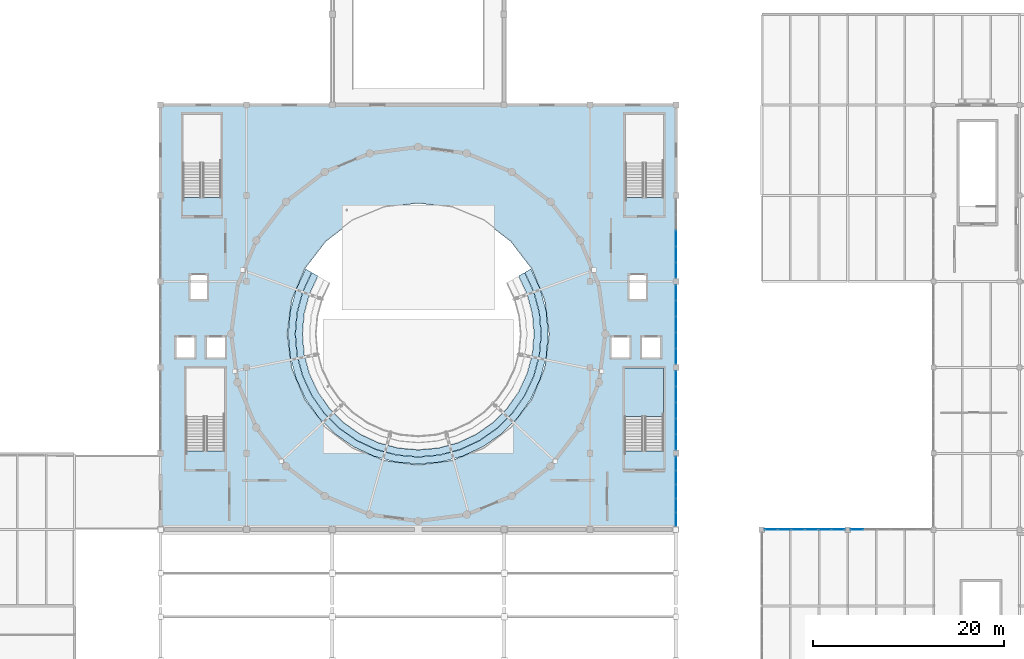
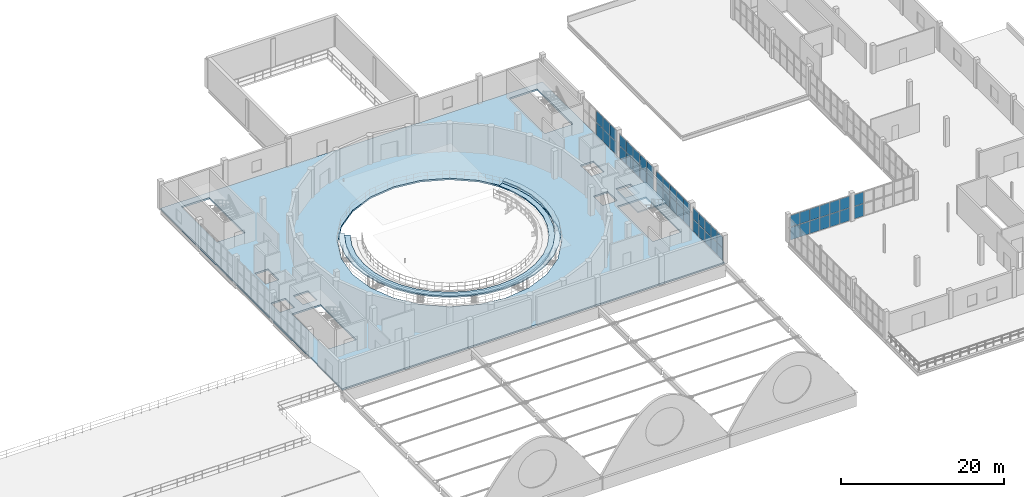
# One storey, part 35 of 54: 50 plates, 4 slabs, 7 elements without a shape of their own.
"""IFC4 building model written with IfcOpenShell, lengths in metres."""

import ifcopenshell
import ifcopenshell.guid

model = None  # the IFC model being written
_history = None  # IfcOwnerHistory: only IFC2X3 demands one
_inside = {}  # id of a spatial element -> (the spatial element, [elements in it])
_under = {}  # id of a project, library or spatial element -> (it, [spatial elements below it])
_declared = {}  # id of a project -> (the project, [libraries it declares])
_typed = {}  # id of a type object -> (the type object, [elements of that type])
_made_of = {}  # id of a material, layer set ... -> (it, [elements and type objects made of it])


def new_model(schema):
    """Start an empty IFC model of exactly this schema.

    Asked for "IFC4X3", IfcOpenShell would pick the latest addendum, in which some entities
    have other attributes; the version numbers below select the first issue.
    IFC2X3 requires an IfcOwnerHistory on every rooted entity: one is made here for all.
    """
    global model, _history
    if schema == "IFC4X3":
        model = ifcopenshell.file(schema_version=(4, 3, 0, 0))
    else:
        model = ifcopenshell.file(schema=schema)
    _inside.clear()
    _under.clear()
    _declared.clear()
    _typed.clear()
    _made_of.clear()
    _history = None
    if model.schema == "IFC2X3":
        org = make("IfcOrganization", Name="unknown")
        user = make(
            "IfcPersonAndOrganization",
            ThePerson=make("IfcPerson", FamilyName="unknown"),
            TheOrganization=org,
        )
        app = make(
            "IfcApplication",
            ApplicationDeveloper=org,
            Version="unknown",
            ApplicationFullName="unknown",
            ApplicationIdentifier="unknown",
        )
        _history = make(
            "IfcOwnerHistory",
            OwningUser=user,
            OwningApplication=app,
            ChangeAction="ADDED",
            CreationDate=0,
        )
    return model


def make(cls, **values):
    """One entity of the class cls with the attributes given. An attribute that is None is left unset."""
    return model.create_entity(
        cls, **{name: value for name, value in values.items() if value is not None}
    )


def rooted(cls, **values):
    """An entity with a GlobalId (a new one), such as an element, a storey or a relation."""
    return make(cls, GlobalId=ifcopenshell.guid.new(), OwnerHistory=_history, **values)


def si_unit(unit_type, name, prefix=None):
    """IfcSIUnit, for example si_unit("LENGTHUNIT", "METRE", prefix="MILLI")."""
    return make("IfcSIUnit", UnitType=unit_type, Prefix=prefix, Name=name)


def assignment(units):
    """IfcUnitAssignment: the units of a project."""
    return None if units is None else make("IfcUnitAssignment", Units=units)


def point(xyz):
    """IfcCartesianPoint."""
    return None if xyz is None else make("IfcCartesianPoint", Coordinates=xyz)


def direction(xyz):
    """IfcDirection."""
    return None if xyz is None else make("IfcDirection", DirectionRatios=xyz)


def frame(location, z_axis=None, x_axis=None):
    """IfcAxis2Placement3D, a coordinate frame: its origin and axes. An axis left out is left unset."""
    return make(
        "IfcAxis2Placement3D",
        Location=point(location),
        Axis=direction(z_axis),
        RefDirection=direction(x_axis),
    )


def frame_2d(location, x_axis=None):
    """IfcAxis2Placement2D, a coordinate frame in the plane: its origin and x axis."""
    return make(
        "IfcAxis2Placement2D", Location=point(location), RefDirection=direction(x_axis)
    )


def origin():
    """The frame at (0, 0, 0) with its axes left unset."""
    return frame((0.0, 0.0, 0.0))


def origin_2d():
    """The frame at (0, 0) in the plane with its x axis left unset."""
    return frame_2d((0.0, 0.0))


def place(relative_to, where):
    """IfcLocalPlacement: puts the frame where relative to a parent placement (None: the world)."""
    return make(
        "IfcLocalPlacement", PlacementRelTo=relative_to, RelativePlacement=where
    )


def context(
    kind, dimensions, precision=None, world=None, true_north=None, identifier=None
):
    """IfcGeometricRepresentationContext, for example the 3D "Model" context."""
    return make(
        "IfcGeometricRepresentationContext",
        ContextIdentifier=identifier,
        ContextType=kind,
        CoordinateSpaceDimension=dimensions,
        Precision=precision,
        WorldCoordinateSystem=world,
        TrueNorth=true_north,
    )


def subcontext(parent, identifier, kind, view, scale=None):
    """IfcGeometricRepresentationSubContext, for example "Body" below "Model"."""
    return make(
        "IfcGeometricRepresentationSubContext",
        ContextIdentifier=identifier,
        ContextType=kind,
        ParentContext=parent,
        TargetScale=scale,
        TargetView=view,
    )


def project(units=None, contexts=None):
    """IfcProject with its units and contexts."""
    return rooted(
        "IfcProject",
        Name="project",
        RepresentationContexts=contexts,
        UnitsInContext=assignment(units),
    )


def spatial(cls, under=None, at=None, **own):
    """A site, building, storey or space (cls), placed at a placement, below another one or the project."""
    s = rooted(cls, ObjectPlacement=at, **own)
    if under is not None:
        _under.setdefault(under.id(), (under, []))[1].append(s)
    return s


def polyline(points):
    """IfcPolyline through the points."""
    return make("IfcPolyline", Points=[point(p) for p in points])


def profile(cls, at=None, kind="AREA", **sizes):
    """A parametric profile (cls). Its sizes go by their IFC names, for example OverallWidth=200.0."""
    return make(cls, ProfileType=kind, Position=at, **sizes)


def rectangle(**sizes):
    """IfcRectangleProfileDef."""
    return profile("IfcRectangleProfileDef", **sizes)


def outline(outer, holes=None, kind="AREA"):
    """IfcArbitraryClosedProfileDef: a profile drawn as a closed curve; with holes, ...WithVoids."""
    if holes is None:
        return make("IfcArbitraryClosedProfileDef", ProfileType=kind, OuterCurve=outer)
    return make(
        "IfcArbitraryProfileDefWithVoids",
        ProfileType=kind,
        OuterCurve=outer,
        InnerCurves=holes,
    )


def extrude(swept, where, along, depth):
    """IfcExtrudedAreaSolid: the profile swept, set in the frame where, extruded along a direction by depth."""
    return make(
        "IfcExtrudedAreaSolid",
        SweptArea=swept,
        Position=where,
        ExtrudedDirection=direction(along),
        Depth=depth,
    )


def shape(context_of_items, identifier, shape_type, items):
    """IfcShapeRepresentation: the items that make up one representation, for example the "Body"."""
    return make(
        "IfcShapeRepresentation",
        ContextOfItems=context_of_items,
        RepresentationIdentifier=identifier,
        RepresentationType=shape_type,
        Items=items,
    )


def material(Name=None, Category=None):
    """IfcMaterial."""
    return make("IfcMaterial", Name=Name, Category=Category)


def layer(
    of_material, thickness, ventilated=None, Name=None, Category=None, Priority=None
):
    """IfcMaterialLayer: one layer of a wall or slab, of a material (None: an air gap)."""
    return make(
        "IfcMaterialLayer",
        Material=of_material,
        LayerThickness=thickness,
        IsVentilated=ventilated,
        Name=Name,
        Category=Category,
        Priority=Priority,
    )


def layer_set(layers, Name=None):
    """IfcMaterialLayerSet."""
    return make("IfcMaterialLayerSet", MaterialLayers=layers, LayerSetName=Name)


def made_of(thing, what):
    """Note that an element or type object is made of a material, layer set ...; save() writes the relation."""
    if what is not None:
        _made_of.setdefault(what.id(), (what, []))[1].append(thing)
    return thing


def type_object(cls, material=None, **own):
    """A type object (cls), such as IfcWallType, which elements share."""
    return made_of(rooted(cls, **own), material)


def element(
    cls,
    number,
    at=None,
    inside=None,
    cuts=None,
    type_object=None,
    material=None,
    context=None,
    identifier="Body",
    shape_type=None,
    held_by="IfcProductDefinitionShape",
    body=None,
    shapes=None,
    **own,
):
    """One element of the class cls, such as IfcWall. Its Tag is "e" and its number.

    at: its placement. inside: the storey or other place that contains it. cuts: it is an
    opening in that element (IfcRelVoidsElement). A single representation is given by context,
    identifier, shape_type and body (its items); several are given by shapes. held_by: the class
    of the entity that holds the representations. save() writes the other relations.
    """
    e = rooted(cls, Tag="e%d" % number, ObjectPlacement=at, **own)
    if body is not None:
        shapes = [shape(context, identifier, shape_type, body)]
    if shapes is not None:
        e.Representation = make(held_by, Representations=shapes)
    if inside is not None:
        _inside.setdefault(inside.id(), (inside, []))[1].append(e)
    if cuts is not None:
        rooted(
            "IfcRelVoidsElement", RelatingBuildingElement=cuts, RelatedOpeningElement=e
        )
    if type_object is not None:
        _typed.setdefault(type_object.id(), (type_object, []))[1].append(e)
    return made_of(e, material)


def aggregate(whole, parts):
    """IfcRelAggregates: a whole, such as a stair, and the parts it consists of."""
    return rooted("IfcRelAggregates", RelatingObject=whole, RelatedObjects=parts)


def save(model, path):
    """Write the relations noted so far, then the file.

    IfcRelAggregates (storeys below a building ...), IfcRelContainedInSpatialStructure (elements
    in a storey), IfcRelDefinesByType, IfcRelAssociatesMaterial and IfcRelDeclares: one each for
    every whole, place, type object, material and project.
    """
    for whole, parts in _under.values():
        aggregate(whole, parts)
    for where, things in _inside.values():
        rooted(
            "IfcRelContainedInSpatialStructure",
            RelatedElements=things,
            RelatingStructure=where,
        )
    for kind, things in _typed.values():
        rooted("IfcRelDefinesByType", RelatedObjects=things, RelatingType=kind)
    for what, things in _made_of.values():
        rooted("IfcRelAssociatesMaterial", RelatedObjects=things, RelatingMaterial=what)
    for by, libraries in _declared.values():
        rooted("IfcRelDeclares", RelatingContext=by, RelatedDefinitions=libraries)
    model.write(path)


model = new_model("IFC4")

# Units and contexts
model_context = context("Model", 3, precision=1e-05, world=origin(), true_north=direction((0.0, 1.0)))
body_context = subcontext(model_context, "Body", "Model", "MODEL_VIEW")
ifc_project = project(units=[si_unit("LENGTHUNIT", "METRE"), si_unit("AREAUNIT", "SQUARE_METRE"), si_unit("VOLUMEUNIT", "CUBIC_METRE"), si_unit("PLANEANGLEUNIT", "RADIAN"), si_unit("MASSUNIT", "GRAM", prefix="KILO")], contexts=[model_context])

# Site, building, storey
site_placement = place(None, origin())
site = spatial("IfcSite", under=ifc_project, at=site_placement, CompositionType="ELEMENT")
building_placement = place(site_placement, origin())
building = spatial("IfcBuilding", under=site, at=building_placement, Name="Marnock Terrace Opera House", CompositionType="ELEMENT")
storey_placement = place(building_placement, frame((0.0, 0.0, 19.199951171875)))
storey = spatial("IfcBuildingStorey", under=building, at=storey_placement, Name="L04", CompositionType="ELEMENT", Elevation=19.199951171875)

# Curtain wall, plates
ifc_material_1 = material(Name="Anodised architectural bronze aluminium framing", Category="aluminium")
ifc_layer_1 = layer(ifc_material_1, 0.159912109375)
ifc_layer_set_1 = layer_set([ifc_layer_1], Name="Anodised architectural bronze aluminium framing")
curtain_wall_type = type_object("IfcCurtainWallType", Name="CW-DRUM-71x39", PredefinedType="NOTDEFINED", material=ifc_layer_set_1)
curtain_wall_1_placement = place(storey_placement, origin())
curtain_wall_1 = element("IfcCurtainWall", 1, at=curtain_wall_1_placement, inside=storey, type_object=curtain_wall_type, Name="L04 glazed Beaux-Arts colonnade curtain wall CW-L04-V1E1", PredefinedType="NOTDEFINED")
ifc_material_2 = material(Name="Double-glazed acoustic low-E laminated glass", Category="glass")
ifc_layer_2 = layer(ifc_material_2, 0.028076171875)
ifc_layer_set_2 = layer_set([ifc_layer_2], Name="Double-glazed acoustic low-E laminated glass")
plate_type = type_object("IfcPlateType", Name="CWP-GLZ-28", PredefinedType="CURTAIN_PANEL", material=ifc_layer_set_2)
plate_1_placement = place(storey_placement, frame((109.0, 41.07177734375, 0.06005859375), z_axis=(0.0, 0.0, 1.0), x_axis=(0.0, 1.0, 0.0)))
plate_1 = element("IfcPlate", 2, at=plate_1_placement, type_object=plate_type, Name="CW-76 panel 1.1", PredefinedType="CURTAIN_PANEL", context=body_context, shape_type="SweptSolid", body=[
    extrude(rectangle(XDim=1.381591796875, YDim=0.028076171875, at=origin_2d()), origin(), (0.0, 0.0, 1.0), 1.79150390625),
])
plate_2_placement = place(storey_placement, frame((109.0, 41.07177734375, 1.91162109375), z_axis=(0.0, 0.0, 1.0), x_axis=(0.0, 1.0, 0.0)))
plate_2 = element("IfcPlate", 3, at=plate_2_placement, type_object=plate_type, Name="CW-76 panel 1.2", PredefinedType="CURTAIN_PANEL", context=body_context, shape_type="SweptSolid", body=[
    extrude(rectangle(XDim=1.381591796875, YDim=0.028076171875, at=origin_2d()), origin(), (0.0, 0.0, 1.0), 1.646484375),
])
plate_3_placement = place(storey_placement, frame((109.0, 42.5283203125, 0.06005859375), z_axis=(0.0, 0.0, 1.0), x_axis=(0.0, 1.0, 0.0)))
plate_3 = element("IfcPlate", 4, at=plate_3_placement, type_object=plate_type, Name="CW-76 panel 2.1", PredefinedType="CURTAIN_PANEL", context=body_context, shape_type="SweptSolid", body=[
    extrude(rectangle(XDim=1.41162109375, YDim=0.028076171875, at=origin_2d()), origin(), (0.0, 0.0, 1.0), 1.79150390625),
])
plate_4_placement = place(storey_placement, frame((109.0, 42.5283203125, 1.91162109375), z_axis=(0.0, 0.0, 1.0), x_axis=(0.0, 1.0, 0.0)))
plate_4 = element("IfcPlate", 5, at=plate_4_placement, type_object=plate_type, Name="CW-76 panel 2.2", PredefinedType="CURTAIN_PANEL", context=body_context, shape_type="SweptSolid", body=[
    extrude(rectangle(XDim=1.41162109375, YDim=0.028076171875, at=origin_2d()), origin(), (0.0, 0.0, 1.0), 1.646484375),
])
plate_5_placement = place(storey_placement, frame((109.0, 44.0, 0.06005859375), z_axis=(0.0, 0.0, 1.0), x_axis=(0.0, 1.0, 0.0)))
plate_5 = element("IfcPlate", 6, at=plate_5_placement, type_object=plate_type, Name="CW-76 panel 3.1", PredefinedType="CURTAIN_PANEL", context=body_context, shape_type="SweptSolid", body=[
    extrude(rectangle(XDim=1.41162109375, YDim=0.028076171875, at=origin_2d()), origin(), (0.0, 0.0, 1.0), 1.79150390625),
])
plate_6_placement = place(storey_placement, frame((109.0, 44.0, 1.91162109375), z_axis=(0.0, 0.0, 1.0), x_axis=(0.0, 1.0, 0.0)))
plate_6 = element("IfcPlate", 7, at=plate_6_placement, type_object=plate_type, Name="CW-76 panel 3.2", PredefinedType="CURTAIN_PANEL", context=body_context, shape_type="SweptSolid", body=[
    extrude(rectangle(XDim=1.41162109375, YDim=0.028076171875, at=origin_2d()), origin(), (0.0, 0.0, 1.0), 1.646484375),
])
plate_7_placement = place(storey_placement, frame((109.0, 45.4716796875, 0.06005859375), z_axis=(0.0, 0.0, 1.0), x_axis=(0.0, 1.0, 0.0)))
plate_7 = element("IfcPlate", 8, at=plate_7_placement, type_object=plate_type, Name="CW-76 panel 4.1", PredefinedType="CURTAIN_PANEL", context=body_context, shape_type="SweptSolid", body=[
    extrude(rectangle(XDim=1.41162109375, YDim=0.028076171875, at=origin_2d()), origin(), (0.0, 0.0, 1.0), 1.79150390625),
])
plate_8_placement = place(storey_placement, frame((109.0, 45.4716796875, 1.91162109375), z_axis=(0.0, 0.0, 1.0), x_axis=(0.0, 1.0, 0.0)))
plate_8 = element("IfcPlate", 9, at=plate_8_placement, type_object=plate_type, Name="CW-76 panel 4.2", PredefinedType="CURTAIN_PANEL", context=body_context, shape_type="SweptSolid", body=[
    extrude(rectangle(XDim=1.41162109375, YDim=0.028076171875, at=origin_2d()), origin(), (0.0, 0.0, 1.0), 1.646484375),
])
plate_9_placement = place(storey_placement, frame((109.0, 46.92822265625, 0.06005859375), z_axis=(0.0, 0.0, 1.0), x_axis=(0.0, 1.0, 0.0)))
plate_9 = element("IfcPlate", 10, at=plate_9_placement, type_object=plate_type, Name="CW-76 panel 5.1", PredefinedType="CURTAIN_PANEL", context=body_context, shape_type="SweptSolid", body=[
    extrude(rectangle(XDim=1.381591796875, YDim=0.028076171875, at=origin_2d()), origin(), (0.0, 0.0, 1.0), 1.79150390625),
])
plate_10_placement = place(storey_placement, frame((109.0, 46.92822265625, 1.91162109375), z_axis=(0.0, 0.0, 1.0), x_axis=(0.0, 1.0, 0.0)))
plate_10 = element("IfcPlate", 11, at=plate_10_placement, type_object=plate_type, Name="CW-76 panel 5.2", PredefinedType="CURTAIN_PANEL", context=body_context, shape_type="SweptSolid", body=[
    extrude(rectangle(XDim=1.381591796875, YDim=0.028076171875, at=origin_2d()), origin(), (0.0, 0.0, 1.0), 1.646484375),
])
aggregate(curtain_wall_1, [plate_1, plate_2, plate_3, plate_4, plate_5, plate_6, plate_7, plate_8, plate_9, plate_10])

curtain_wall_2_placement = place(storey_placement, origin())
curtain_wall_2 = element("IfcCurtainWall", 12, at=curtain_wall_2_placement, inside=storey, type_object=curtain_wall_type, Name="L04 glazed Beaux-Arts colonnade curtain wall CW-L04-V1E2", PredefinedType="NOTDEFINED")
plate_11_placement = place(storey_placement, frame((109.0, 49.171875, 0.06005859375), z_axis=(0.0, 0.0, 1.0), x_axis=(0.0, 1.0, 0.0)))
plate_11 = element("IfcPlate", 13, at=plate_11_placement, type_object=plate_type, Name="CW-76 panel 1.1", PredefinedType="CURTAIN_PANEL", context=body_context, shape_type="SweptSolid", body=[
    extrude(rectangle(XDim=1.58154296875, YDim=0.028076171875, at=origin_2d()), origin(), (0.0, 0.0, 1.0), 1.79150390625),
])
plate_12_placement = place(storey_placement, frame((109.0, 49.171875, 1.91162109375), z_axis=(0.0, 0.0, 1.0), x_axis=(0.0, 1.0, 0.0)))
plate_12 = element("IfcPlate", 14, at=plate_12_placement, type_object=plate_type, Name="CW-76 panel 1.2", PredefinedType="CURTAIN_PANEL", context=body_context, shape_type="SweptSolid", body=[
    extrude(rectangle(XDim=1.58154296875, YDim=0.028076171875, at=origin_2d()), origin(), (0.0, 0.0, 1.0), 1.646484375),
])
plate_13_placement = place(storey_placement, frame((109.0, 50.828369140625, 0.06005859375), z_axis=(0.0, 0.0, 1.0), x_axis=(0.0, 1.0, 0.0)))
plate_13 = element("IfcPlate", 15, at=plate_13_placement, type_object=plate_type, Name="CW-76 panel 2.1", PredefinedType="CURTAIN_PANEL", context=body_context, shape_type="SweptSolid", body=[
    extrude(rectangle(XDim=1.611572265625, YDim=0.028076171875, at=origin_2d()), origin(), (0.0, 0.0, 1.0), 1.79150390625),
])
plate_14_placement = place(storey_placement, frame((109.0, 50.828369140625, 1.91162109375), z_axis=(0.0, 0.0, 1.0), x_axis=(0.0, 1.0, 0.0)))
plate_14 = element("IfcPlate", 16, at=plate_14_placement, type_object=plate_type, Name="CW-76 panel 2.2", PredefinedType="CURTAIN_PANEL", context=body_context, shape_type="SweptSolid", body=[
    extrude(rectangle(XDim=1.611572265625, YDim=0.028076171875, at=origin_2d()), origin(), (0.0, 0.0, 1.0), 1.646484375),
])
plate_15_placement = place(storey_placement, frame((109.0, 52.5, 0.06005859375), z_axis=(0.0, 0.0, 1.0), x_axis=(0.0, 1.0, 0.0)))
plate_15 = element("IfcPlate", 17, at=plate_15_placement, type_object=plate_type, Name="CW-76 panel 3.1", PredefinedType="CURTAIN_PANEL", context=body_context, shape_type="SweptSolid", body=[
    extrude(rectangle(XDim=1.611572265625, YDim=0.028076171875, at=origin_2d()), origin(), (0.0, 0.0, 1.0), 1.79150390625),
])
plate_16_placement = place(storey_placement, frame((109.0, 52.5, 1.91162109375), z_axis=(0.0, 0.0, 1.0), x_axis=(0.0, 1.0, 0.0)))
plate_16 = element("IfcPlate", 18, at=plate_16_placement, type_object=plate_type, Name="CW-76 panel 3.2", PredefinedType="CURTAIN_PANEL", context=body_context, shape_type="SweptSolid", body=[
    extrude(rectangle(XDim=1.611572265625, YDim=0.028076171875, at=origin_2d()), origin(), (0.0, 0.0, 1.0), 1.646484375),
])
plate_17_placement = place(storey_placement, frame((109.0, 54.171630859375, 0.06005859375), z_axis=(0.0, 0.0, 1.0), x_axis=(0.0, 1.0, 0.0)))
plate_17 = element("IfcPlate", 19, at=plate_17_placement, type_object=plate_type, Name="CW-76 panel 4.1", PredefinedType="CURTAIN_PANEL", context=body_context, shape_type="SweptSolid", body=[
    extrude(rectangle(XDim=1.611572265625, YDim=0.028076171875, at=origin_2d()), origin(), (0.0, 0.0, 1.0), 1.79150390625),
])
plate_18_placement = place(storey_placement, frame((109.0, 54.171630859375, 1.91162109375), z_axis=(0.0, 0.0, 1.0), x_axis=(0.0, 1.0, 0.0)))
plate_18 = element("IfcPlate", 20, at=plate_18_placement, type_object=plate_type, Name="CW-76 panel 4.2", PredefinedType="CURTAIN_PANEL", context=body_context, shape_type="SweptSolid", body=[
    extrude(rectangle(XDim=1.611572265625, YDim=0.028076171875, at=origin_2d()), origin(), (0.0, 0.0, 1.0), 1.646484375),
])
plate_19_placement = place(storey_placement, frame((109.0, 55.828125, 0.06005859375), z_axis=(0.0, 0.0, 1.0), x_axis=(0.0, 1.0, 0.0)))
plate_19 = element("IfcPlate", 21, at=plate_19_placement, type_object=plate_type, Name="CW-76 panel 5.1", PredefinedType="CURTAIN_PANEL", context=body_context, shape_type="SweptSolid", body=[
    extrude(rectangle(XDim=1.58154296875, YDim=0.028076171875, at=origin_2d()), origin(), (0.0, 0.0, 1.0), 1.79150390625),
])
plate_20_placement = place(storey_placement, frame((109.0, 55.828125, 1.91162109375), z_axis=(0.0, 0.0, 1.0), x_axis=(0.0, 1.0, 0.0)))
plate_20 = element("IfcPlate", 22, at=plate_20_placement, type_object=plate_type, Name="CW-76 panel 5.2", PredefinedType="CURTAIN_PANEL", context=body_context, shape_type="SweptSolid", body=[
    extrude(rectangle(XDim=1.58154296875, YDim=0.028076171875, at=origin_2d()), origin(), (0.0, 0.0, 1.0), 1.646484375),
])
aggregate(curtain_wall_2, [plate_11, plate_12, plate_13, plate_14, plate_15, plate_16, plate_17, plate_18, plate_19, plate_20])

curtain_wall_3_placement = place(storey_placement, origin())
curtain_wall_3 = element("IfcCurtainWall", 23, at=curtain_wall_3_placement, inside=storey, type_object=curtain_wall_type, Name="L04 glazed Beaux-Arts colonnade curtain wall CW-L04-V1E3", PredefinedType="NOTDEFINED")
plate_21_placement = place(storey_placement, frame((109.0, 58.171875, 0.06005859375), z_axis=(0.0, 0.0, 1.0), x_axis=(0.0, 1.0, 0.0)))
plate_21 = element("IfcPlate", 24, at=plate_21_placement, type_object=plate_type, Name="CW-76 panel 1.1", PredefinedType="CURTAIN_PANEL", context=body_context, shape_type="SweptSolid", body=[
    extrude(rectangle(XDim=1.58154296875, YDim=0.028076171875, at=origin_2d()), origin(), (0.0, 0.0, 1.0), 1.829833984375),
])
plate_22_placement = place(storey_placement, frame((109.0, 58.171875, 1.949951171875), z_axis=(0.0, 0.0, 1.0), x_axis=(0.0, 1.0, 0.0)))
plate_22 = element("IfcPlate", 25, at=plate_22_placement, type_object=plate_type, Name="CW-76 panel 1.2", PredefinedType="CURTAIN_PANEL", context=body_context, shape_type="SweptSolid", body=[
    extrude(rectangle(XDim=1.58154296875, YDim=0.028076171875, at=origin_2d()), origin(), (0.0, 0.0, 1.0), 1.68212890625),
])
plate_23_placement = place(storey_placement, frame((109.0, 59.828369140625, 0.06005859375), z_axis=(0.0, 0.0, 1.0), x_axis=(0.0, 1.0, 0.0)))
plate_23 = element("IfcPlate", 26, at=plate_23_placement, type_object=plate_type, Name="CW-76 panel 2.1", PredefinedType="CURTAIN_PANEL", context=body_context, shape_type="SweptSolid", body=[
    extrude(rectangle(XDim=1.611572265625, YDim=0.028076171875, at=origin_2d()), origin(), (0.0, 0.0, 1.0), 1.829833984375),
])
plate_24_placement = place(storey_placement, frame((109.0, 59.828369140625, 1.949951171875), z_axis=(0.0, 0.0, 1.0), x_axis=(0.0, 1.0, 0.0)))
plate_24 = element("IfcPlate", 27, at=plate_24_placement, type_object=plate_type, Name="CW-76 panel 2.2", PredefinedType="CURTAIN_PANEL", context=body_context, shape_type="SweptSolid", body=[
    extrude(rectangle(XDim=1.611572265625, YDim=0.028076171875, at=origin_2d()), origin(), (0.0, 0.0, 1.0), 1.68212890625),
])
plate_25_placement = place(storey_placement, frame((109.0, 61.5, 0.06005859375), z_axis=(0.0, 0.0, 1.0), x_axis=(0.0, 1.0, 0.0)))
plate_25 = element("IfcPlate", 28, at=plate_25_placement, type_object=plate_type, Name="CW-76 panel 3.1", PredefinedType="CURTAIN_PANEL", context=body_context, shape_type="SweptSolid", body=[
    extrude(rectangle(XDim=1.611572265625, YDim=0.028076171875, at=origin_2d()), origin(), (0.0, 0.0, 1.0), 1.829833984375),
])
plate_26_placement = place(storey_placement, frame((109.0, 61.5, 1.949951171875), z_axis=(0.0, 0.0, 1.0), x_axis=(0.0, 1.0, 0.0)))
plate_26 = element("IfcPlate", 29, at=plate_26_placement, type_object=plate_type, Name="CW-76 panel 3.2", PredefinedType="CURTAIN_PANEL", context=body_context, shape_type="SweptSolid", body=[
    extrude(rectangle(XDim=1.611572265625, YDim=0.028076171875, at=origin_2d()), origin(), (0.0, 0.0, 1.0), 1.68212890625),
])
plate_27_placement = place(storey_placement, frame((109.0, 63.171630859375, 0.06005859375), z_axis=(0.0, 0.0, 1.0), x_axis=(0.0, 1.0, 0.0)))
plate_27 = element("IfcPlate", 30, at=plate_27_placement, type_object=plate_type, Name="CW-76 panel 4.1", PredefinedType="CURTAIN_PANEL", context=body_context, shape_type="SweptSolid", body=[
    extrude(rectangle(XDim=1.611572265625, YDim=0.028076171875, at=origin_2d()), origin(), (0.0, 0.0, 1.0), 1.829833984375),
])
plate_28_placement = place(storey_placement, frame((109.0, 63.171630859375, 1.949951171875), z_axis=(0.0, 0.0, 1.0), x_axis=(0.0, 1.0, 0.0)))
plate_28 = element("IfcPlate", 31, at=plate_28_placement, type_object=plate_type, Name="CW-76 panel 4.2", PredefinedType="CURTAIN_PANEL", context=body_context, shape_type="SweptSolid", body=[
    extrude(rectangle(XDim=1.611572265625, YDim=0.028076171875, at=origin_2d()), origin(), (0.0, 0.0, 1.0), 1.68212890625),
])
plate_29_placement = place(storey_placement, frame((109.0, 64.828125, 0.06005859375), z_axis=(0.0, 0.0, 1.0), x_axis=(0.0, 1.0, 0.0)))
plate_29 = element("IfcPlate", 32, at=plate_29_placement, type_object=plate_type, Name="CW-76 panel 5.1", PredefinedType="CURTAIN_PANEL", context=body_context, shape_type="SweptSolid", body=[
    extrude(rectangle(XDim=1.58154296875, YDim=0.028076171875, at=origin_2d()), origin(), (0.0, 0.0, 1.0), 1.829833984375),
])
plate_30_placement = place(storey_placement, frame((109.0, 64.828125, 1.949951171875), z_axis=(0.0, 0.0, 1.0), x_axis=(0.0, 1.0, 0.0)))
plate_30 = element("IfcPlate", 33, at=plate_30_placement, type_object=plate_type, Name="CW-76 panel 5.2", PredefinedType="CURTAIN_PANEL", context=body_context, shape_type="SweptSolid", body=[
    extrude(rectangle(XDim=1.58154296875, YDim=0.028076171875, at=origin_2d()), origin(), (0.0, 0.0, 1.0), 1.68212890625),
])
aggregate(curtain_wall_3, [plate_21, plate_22, plate_23, plate_24, plate_25, plate_26, plate_27, plate_28, plate_29, plate_30])

curtain_wall_4_placement = place(storey_placement, origin())
curtain_wall_4 = element("IfcCurtainWall", 34, at=curtain_wall_4_placement, inside=storey, type_object=curtain_wall_type, Name="L04 glazed Beaux-Arts colonnade curtain wall CW-L04-V1E4", PredefinedType="NOTDEFINED")
plate_31_placement = place(storey_placement, frame((109.0, 67.171875, 0.06005859375), z_axis=(0.0, 0.0, 1.0), x_axis=(0.0, 1.0, 0.0)))
plate_31 = element("IfcPlate", 35, at=plate_31_placement, type_object=plate_type, Name="CW-76 panel 1.1", PredefinedType="CURTAIN_PANEL", context=body_context, shape_type="SweptSolid", body=[
    extrude(rectangle(XDim=1.58154296875, YDim=0.028076171875, at=origin_2d()), origin(), (0.0, 0.0, 1.0), 1.86669921875),
])
plate_32_placement = place(storey_placement, frame((109.0, 67.171875, 1.98681640625), z_axis=(0.0, 0.0, 1.0), x_axis=(0.0, 1.0, 0.0)))
plate_32 = element("IfcPlate", 36, at=plate_32_placement, type_object=plate_type, Name="CW-76 panel 1.2", PredefinedType="CURTAIN_PANEL", context=body_context, shape_type="SweptSolid", body=[
    extrude(rectangle(XDim=1.58154296875, YDim=0.028076171875, at=origin_2d()), origin(), (0.0, 0.0, 1.0), 1.716064453125),
])
plate_33_placement = place(storey_placement, frame((109.0, 68.828369140625, 0.06005859375), z_axis=(0.0, 0.0, 1.0), x_axis=(0.0, 1.0, 0.0)))
plate_33 = element("IfcPlate", 37, at=plate_33_placement, type_object=plate_type, Name="CW-76 panel 2.1", PredefinedType="CURTAIN_PANEL", context=body_context, shape_type="SweptSolid", body=[
    extrude(rectangle(XDim=1.611572265625, YDim=0.028076171875, at=origin_2d()), origin(), (0.0, 0.0, 1.0), 1.86669921875),
])
plate_34_placement = place(storey_placement, frame((109.0, 68.828369140625, 1.98681640625), z_axis=(0.0, 0.0, 1.0), x_axis=(0.0, 1.0, 0.0)))
plate_34 = element("IfcPlate", 38, at=plate_34_placement, type_object=plate_type, Name="CW-76 panel 2.2", PredefinedType="CURTAIN_PANEL", context=body_context, shape_type="SweptSolid", body=[
    extrude(rectangle(XDim=1.611572265625, YDim=0.028076171875, at=origin_2d()), origin(), (0.0, 0.0, 1.0), 1.716064453125),
])
plate_35_placement = place(storey_placement, frame((109.0, 70.5, 0.06005859375), z_axis=(0.0, 0.0, 1.0), x_axis=(0.0, 1.0, 0.0)))
plate_35 = element("IfcPlate", 39, at=plate_35_placement, type_object=plate_type, Name="CW-76 panel 3.1", PredefinedType="CURTAIN_PANEL", context=body_context, shape_type="SweptSolid", body=[
    extrude(rectangle(XDim=1.611572265625, YDim=0.028076171875, at=origin_2d()), origin(), (0.0, 0.0, 1.0), 1.86669921875),
])
plate_36_placement = place(storey_placement, frame((109.0, 70.5, 1.98681640625), z_axis=(0.0, 0.0, 1.0), x_axis=(0.0, 1.0, 0.0)))
plate_36 = element("IfcPlate", 40, at=plate_36_placement, type_object=plate_type, Name="CW-76 panel 3.2", PredefinedType="CURTAIN_PANEL", context=body_context, shape_type="SweptSolid", body=[
    extrude(rectangle(XDim=1.611572265625, YDim=0.028076171875, at=origin_2d()), origin(), (0.0, 0.0, 1.0), 1.716064453125),
])
aggregate(curtain_wall_4, [plate_31, plate_32, plate_33, plate_34, plate_35, plate_36])

curtain_wall_5_placement = place(storey_placement, origin())
curtain_wall_5 = element("IfcCurtainWall", 41, at=curtain_wall_5_placement, inside=storey, type_object=curtain_wall_type, Name="L04 glazed Beaux-Arts colonnade curtain wall CW-L04-V5CS1", PredefinedType="NOTDEFINED")
plate_37_placement = place(storey_placement, frame((118.99072265625, 40.0, 0.06005859375), z_axis=(0.0, 0.0, 1.0), x_axis=(1.0, 0.0, 0.0)))
plate_37 = element("IfcPlate", 42, at=plate_37_placement, type_object=plate_type, Name="CW-76 panel 1.1", PredefinedType="CURTAIN_PANEL", context=body_context, shape_type="SweptSolid", body=[
    extrude(rectangle(XDim=1.319580078125, YDim=0.028076171875, at=origin_2d()), origin(), (0.0, 0.0, 1.0), 1.880615234375),
])
plate_38_placement = place(storey_placement, frame((118.99072265625, 40.0, 2.000732421875), z_axis=(0.0, 0.0, 1.0), x_axis=(1.0, 0.0, 0.0)))
plate_38 = element("IfcPlate", 43, at=plate_38_placement, type_object=plate_type, Name="CW-76 panel 1.2", PredefinedType="CURTAIN_PANEL", context=body_context, shape_type="SweptSolid", body=[
    extrude(rectangle(XDim=1.319580078125, YDim=0.028076171875, at=origin_2d()), origin(), (0.0, 0.0, 1.0), 1.72900390625),
])
plate_39_placement = place(storey_placement, frame((120.385498046875, 40.0, 0.06005859375), z_axis=(0.0, 0.0, 1.0), x_axis=(1.0, 0.0, 0.0)))
plate_39 = element("IfcPlate", 44, at=plate_39_placement, type_object=plate_type, Name="CW-76 panel 2.1", PredefinedType="CURTAIN_PANEL", context=body_context, shape_type="SweptSolid", body=[
    extrude(rectangle(XDim=1.349609375, YDim=0.028076171875, at=origin_2d()), origin(), (0.0, 0.0, 1.0), 1.880615234375),
])
plate_40_placement = place(storey_placement, frame((120.385498046875, 40.0, 2.000732421875), z_axis=(0.0, 0.0, 1.0), x_axis=(1.0, 0.0, 0.0)))
plate_40 = element("IfcPlate", 45, at=plate_40_placement, type_object=plate_type, Name="CW-76 panel 2.2", PredefinedType="CURTAIN_PANEL", context=body_context, shape_type="SweptSolid", body=[
    extrude(rectangle(XDim=1.349609375, YDim=0.028076171875, at=origin_2d()), origin(), (0.0, 0.0, 1.0), 1.72900390625),
])
plate_41_placement = place(storey_placement, frame((121.795166015625, 40.0, 0.06005859375), z_axis=(0.0, 0.0, 1.0), x_axis=(1.0, 0.0, 0.0)))
plate_41 = element("IfcPlate", 46, at=plate_41_placement, type_object=plate_type, Name="CW-76 panel 3.1", PredefinedType="CURTAIN_PANEL", context=body_context, shape_type="SweptSolid", body=[
    extrude(rectangle(XDim=1.349609375, YDim=0.028076171875, at=origin_2d()), origin(), (0.0, 0.0, 1.0), 1.880615234375),
])
plate_42_placement = place(storey_placement, frame((121.795166015625, 40.0, 2.000732421875), z_axis=(0.0, 0.0, 1.0), x_axis=(1.0, 0.0, 0.0)))
plate_42 = element("IfcPlate", 47, at=plate_42_placement, type_object=plate_type, Name="CW-76 panel 3.2", PredefinedType="CURTAIN_PANEL", context=body_context, shape_type="SweptSolid", body=[
    extrude(rectangle(XDim=1.349609375, YDim=0.028076171875, at=origin_2d()), origin(), (0.0, 0.0, 1.0), 1.72900390625),
])
plate_43_placement = place(storey_placement, frame((123.204833984375, 40.0, 0.06005859375), z_axis=(0.0, 0.0, 1.0), x_axis=(1.0, 0.0, 0.0)))
plate_43 = element("IfcPlate", 48, at=plate_43_placement, type_object=plate_type, Name="CW-76 panel 4.1", PredefinedType="CURTAIN_PANEL", context=body_context, shape_type="SweptSolid", body=[
    extrude(rectangle(XDim=1.349609375, YDim=0.028076171875, at=origin_2d()), origin(), (0.0, 0.0, 1.0), 1.880615234375),
])
plate_44_placement = place(storey_placement, frame((123.204833984375, 40.0, 2.000732421875), z_axis=(0.0, 0.0, 1.0), x_axis=(1.0, 0.0, 0.0)))
plate_44 = element("IfcPlate", 49, at=plate_44_placement, type_object=plate_type, Name="CW-76 panel 4.2", PredefinedType="CURTAIN_PANEL", context=body_context, shape_type="SweptSolid", body=[
    extrude(rectangle(XDim=1.349609375, YDim=0.028076171875, at=origin_2d()), origin(), (0.0, 0.0, 1.0), 1.72900390625),
])
plate_45_placement = place(storey_placement, frame((124.614501953125, 40.0, 0.06005859375), z_axis=(0.0, 0.0, 1.0), x_axis=(1.0, 0.0, 0.0)))
plate_45 = element("IfcPlate", 50, at=plate_45_placement, type_object=plate_type, Name="CW-76 panel 5.1", PredefinedType="CURTAIN_PANEL", context=body_context, shape_type="SweptSolid", body=[
    extrude(rectangle(XDim=1.349609375, YDim=0.028076171875, at=origin_2d()), origin(), (0.0, 0.0, 1.0), 1.880615234375),
])
plate_46_placement = place(storey_placement, frame((124.614501953125, 40.0, 2.000732421875), z_axis=(0.0, 0.0, 1.0), x_axis=(1.0, 0.0, 0.0)))
plate_46 = element("IfcPlate", 51, at=plate_46_placement, type_object=plate_type, Name="CW-76 panel 5.2", PredefinedType="CURTAIN_PANEL", context=body_context, shape_type="SweptSolid", body=[
    extrude(rectangle(XDim=1.349609375, YDim=0.028076171875, at=origin_2d()), origin(), (0.0, 0.0, 1.0), 1.72900390625),
])
plate_47_placement = place(storey_placement, frame((126.00927734375, 40.0, 0.06005859375), z_axis=(0.0, 0.0, 1.0), x_axis=(1.0, 0.0, 0.0)))
plate_47 = element("IfcPlate", 52, at=plate_47_placement, type_object=plate_type, Name="CW-76 panel 6.1", PredefinedType="CURTAIN_PANEL", context=body_context, shape_type="SweptSolid", body=[
    extrude(rectangle(XDim=1.319580078125, YDim=0.028076171875, at=origin_2d()), origin(), (0.0, 0.0, 1.0), 1.880615234375),
])
plate_48_placement = place(storey_placement, frame((126.00927734375, 40.0, 2.000732421875), z_axis=(0.0, 0.0, 1.0), x_axis=(1.0, 0.0, 0.0)))
plate_48 = element("IfcPlate", 53, at=plate_48_placement, type_object=plate_type, Name="CW-76 panel 6.2", PredefinedType="CURTAIN_PANEL", context=body_context, shape_type="SweptSolid", body=[
    extrude(rectangle(XDim=1.319580078125, YDim=0.028076171875, at=origin_2d()), origin(), (0.0, 0.0, 1.0), 1.72900390625),
])
aggregate(curtain_wall_5, [plate_37, plate_38, plate_39, plate_40, plate_41, plate_42, plate_43, plate_44, plate_45, plate_46, plate_47, plate_48])

curtain_wall_6_placement = place(storey_placement, origin())
curtain_wall_6 = element("IfcCurtainWall", 54, at=curtain_wall_6_placement, inside=storey, type_object=curtain_wall_type, Name="L04 glazed Beaux-Arts colonnade curtain wall CW-L04-V5CS2", PredefinedType="NOTDEFINED")
plate_49_placement = place(storey_placement, frame((127.99072265625, 40.0, 0.06005859375), z_axis=(0.0, 0.0, 1.0), x_axis=(1.0, 0.0, 0.0)))
plate_49 = element("IfcPlate", 55, at=plate_49_placement, type_object=plate_type, Name="CW-76 panel 1.1", PredefinedType="CURTAIN_PANEL", context=body_context, shape_type="SweptSolid", body=[
    extrude(rectangle(XDim=1.319580078125, YDim=0.028076171875, at=origin_2d()), origin(), (0.0, 0.0, 1.0), 1.8427734375),
])
plate_50_placement = place(storey_placement, frame((127.99072265625, 40.0, 1.962890625), z_axis=(0.0, 0.0, 1.0), x_axis=(1.0, 0.0, 0.0)))
plate_50 = element("IfcPlate", 56, at=plate_50_placement, type_object=plate_type, Name="CW-76 panel 1.2", PredefinedType="CURTAIN_PANEL", context=body_context, shape_type="SweptSolid", body=[
    extrude(rectangle(XDim=1.319580078125, YDim=0.028076171875, at=origin_2d()), origin(), (0.0, 0.0, 1.0), 1.694091796875),
])
aggregate(curtain_wall_6, [plate_49, plate_50])

# Slab
ifc_material_3 = material(Name="Concrete N40 (f'c = 40 MPa)", Category="concrete")
ifc_layer_3 = layer(ifc_material_3, 0.25)
ifc_layer_set_3 = layer_set([ifc_layer_3], Name="Concrete N40 (f'c = 40 MPa)")
slab_type_1 = type_object("IfcSlabType", Name="SL-FLR-250", PredefinedType="FLOOR", material=ifc_layer_set_3)
slab_1_placement = place(storey_placement, frame((0.0, 0.0, -0.25)))
element("IfcSlab", 57, at=slab_1_placement, inside=storey, type_object=slab_type_1, Name="L04 Auditorium promenade structural floor slab", PredefinedType="FLOOR", context=body_context, shape_type="SweptSolid", body=[
    extrude(outline(polyline([(55.0, 40.0), (109.0, 40.0), (109.0, 84.5), (55.0, 84.5), (55.0, 40.0)]), holes=[polyline([(61.719970703125, 48.239990234375), (61.719970703125, 56.919921875), (57.679931640625, 56.919921875), (57.679931640625, 48.239990234375), (61.719970703125, 48.239990234375)]), polyline([(56.580078125, 57.97998046875), (58.6201171875, 57.97998046875), (58.6201171875, 60.219970703125), (56.580078125, 60.219970703125), (56.580078125, 57.97998046875)]), polyline([(59.780029296875, 57.97998046875), (61.820068359375, 57.97998046875), (61.820068359375, 60.219970703125), (59.780029296875, 60.219970703125), (59.780029296875, 57.97998046875)]), polyline([(107.679931640625, 48.239990234375), (107.679931640625, 56.919921875), (103.639892578125, 56.919921875), (103.639892578125, 48.239990234375), (107.679931640625, 48.239990234375)]), polyline([(102.179931640625, 57.97998046875), (104.219970703125, 57.97998046875), (104.219970703125, 60.219970703125), (102.179931640625, 60.219970703125), (102.179931640625, 57.97998046875)]), polyline([(105.3798828125, 57.97998046875), (107.419921875, 57.97998046875), (107.419921875, 60.219970703125), (105.3798828125, 60.219970703125), (105.3798828125, 57.97998046875)]), polyline([(61.320068359375, 74.800048828125), (61.320068359375, 83.52001953125), (57.360107421875, 83.52001953125), (57.360107421875, 74.800048828125), (61.320068359375, 74.800048828125)]), polyline([(58.080078125, 64.080078125), (59.919921875, 64.080078125), (59.919921875, 66.719970703125), (58.080078125, 66.719970703125), (58.080078125, 64.080078125)]), polyline([(107.679931640625, 74.800048828125), (107.679931640625, 83.52001953125), (103.719970703125, 83.52001953125), (103.719970703125, 74.800048828125), (107.679931640625, 74.800048828125)]), polyline([(104.080078125, 64.080078125), (105.919921875, 64.080078125), (105.919921875, 66.719970703125), (104.080078125, 66.719970703125), (104.080078125, 64.080078125)]), polyline([(95.699951171875, 60.5), (95.23291015625, 64.0458984375), (93.864990234375, 67.35009765625), (91.68701171875, 70.18701171875), (88.85009765625, 72.364990234375), (85.5458984375, 73.73291015625), (82.0, 74.199951171875), (78.4541015625, 73.73291015625), (75.14990234375, 72.364990234375), (72.31298828125, 70.18701171875), (70.135009765625, 67.35009765625), (68.76708984375, 64.0458984375), (68.300048828125, 60.5), (68.76708984375, 56.9541015625), (70.135009765625, 53.64990234375), (72.31298828125, 50.81298828125), (75.14990234375, 48.635009765625), (78.4541015625, 47.26708984375), (82.0, 46.800048828125), (85.5458984375, 47.26708984375), (88.85009765625, 48.635009765625), (91.68701171875, 50.81298828125), (93.864990234375, 53.64990234375), (95.23291015625, 56.9541015625), (95.699951171875, 60.5)])]), origin(), (0.0, 0.0, 1.0), 0.25),
])

# Stair, slab
stair_type = type_object("IfcStairType", Name="ST-TYPE-2600", PredefinedType="HALF_TURN_STAIR", material=ifc_material_3)
stair_placement = place(storey_placement, origin())
stair = element("IfcStair", 58, at=stair_placement, inside=storey, type_object=stair_type, Name="L04 ST-02", PredefinedType="HALF_TURN_STAIR")
ifc_material_4 = material(Name="Concrete N32 (f'c = 32 MPa)", Category="concrete")
ifc_layer_4 = layer(ifc_material_4, 0.199951171875)
ifc_layer_set_4 = layer_set([ifc_layer_4], Name="Concrete N32 (f'c = 32 MPa)")
slab_type_2 = type_object("IfcSlabType", Name="SL-LAND-200", PredefinedType="LANDING", material=ifc_layer_set_4)
slab_2_placement = place(storey_placement, frame((0.0, 0.0, 2.050048828125)))
slab_2 = element("IfcSlab", 59, at=slab_2_placement, type_object=slab_type_2, Name="ST-02 landing 1", PredefinedType="LANDING", context=body_context, shape_type="SweptSolid", body=[
    extrude(outline(polyline([(107.679931640625, 51.840087890625), (107.679931640625, 56.919921875), (103.639892578125, 56.919921875), (103.639892578125, 51.840087890625), (107.679931640625, 51.840087890625)])), origin(), (0.0, 0.0, 1.0), 0.199951171875),
])
aggregate(stair, [slab_2])

# Slabs
ifc_layer_5 = layer(ifc_material_3, 0.175048828125)
ifc_layer_set_5 = layer_set([ifc_layer_5], Name="Concrete N40 (f'c = 40 MPa)")
slab_type_3 = type_object("IfcSlabType", Name="SL-TIER-175", PredefinedType="USERDEFINED", material=ifc_layer_set_5)
slab_3_placement = place(storey_placement, frame((0.0, 0.0, 0.89501953125)))
element("IfcSlab", 60, at=slab_3_placement, inside=storey, type_object=slab_type_3, Name="L04 Main Auditorium horseshoe seating tier 3", ObjectType="SEATING TIER", PredefinedType="USERDEFINED", context=body_context, shape_type="SweptSolid", body=[
    extrude(outline(polyline([(70.854248046875, 66.93505859375), (69.90625, 64.90185546875), (69.325439453125, 62.73486328125), (69.1298828125, 60.5), (69.325439453125, 58.26513671875), (69.90625, 56.09814453125), (70.854248046875, 54.06494140625), (72.14111328125, 52.227294921875), (73.727294921875, 50.64111328125), (75.56494140625, 49.354248046875), (77.59814453125, 48.40625), (79.76513671875, 47.825439453125), (82.0, 47.6298828125), (84.23486328125, 47.825439453125), (86.40185546875, 48.40625), (88.43505859375, 49.354248046875), (90.272705078125, 50.64111328125), (91.85888671875, 52.227294921875), (93.145751953125, 54.06494140625), (94.09375, 56.09814453125), (94.674560546875, 58.26513671875), (94.8701171875, 60.5), (94.674560546875, 62.73486328125), (94.09375, 64.90185546875), (93.145751953125, 66.93505859375), (92.522216796875, 66.574951171875), (93.417236328125, 64.655517578125), (93.96533203125, 62.60986328125), (94.14990234375, 60.5), (93.96533203125, 58.39013671875), (93.417236328125, 56.344482421875), (92.522216796875, 54.425048828125), (91.307373046875, 52.690185546875), (89.809814453125, 51.192626953125), (88.074951171875, 49.977783203125), (86.155517578125, 49.082763671875), (84.10986328125, 48.53466796875), (82.0, 48.35009765625), (79.89013671875, 48.53466796875), (77.844482421875, 49.082763671875), (75.925048828125, 49.977783203125), (74.190185546875, 51.192626953125), (72.692626953125, 52.690185546875), (71.477783203125, 54.425048828125), (70.582763671875, 56.344482421875), (70.03466796875, 58.39013671875), (69.85009765625, 60.5), (70.03466796875, 62.60986328125), (70.582763671875, 64.655517578125), (71.477783203125, 66.574951171875), (70.854248046875, 66.93505859375)])), origin(), (0.0, 0.0, 1.0), 0.175048828125),
])
slab_4_placement = place(storey_placement, frame((0.0, 0.0, 1.255126953125)))
element("IfcSlab", 61, at=slab_4_placement, inside=storey, type_object=slab_type_3, Name="L04 Main Auditorium horseshoe seating tier 4", ObjectType="SEATING TIER", PredefinedType="USERDEFINED", context=body_context, shape_type="SweptSolid", body=[
    extrude(outline(polyline([(70.20458984375, 67.31005859375), (69.201416015625, 65.158203125), (68.5869140625, 62.864990234375), (68.3798828125, 60.5), (68.5869140625, 58.135009765625), (69.201416015625, 55.841796875), (70.20458984375, 53.68994140625), (71.56640625, 51.7451171875), (73.2451171875, 50.06640625), (75.18994140625, 48.70458984375), (77.341796875, 47.701416015625), (79.635009765625, 47.0869140625), (82.0, 46.8798828125), (84.364990234375, 47.0869140625), (86.658203125, 47.701416015625), (88.81005859375, 48.70458984375), (90.7548828125, 50.06640625), (92.43359375, 51.7451171875), (93.79541015625, 53.68994140625), (94.798583984375, 55.841796875), (95.4130859375, 58.135009765625), (95.6201171875, 60.5), (95.4130859375, 62.864990234375), (94.798583984375, 65.158203125), (93.79541015625, 67.31005859375), (93.171630859375, 66.949951171875), (94.1220703125, 64.912109375), (94.7041015625, 62.739990234375), (94.89990234375, 60.5), (94.7041015625, 58.260009765625), (94.1220703125, 56.087890625), (93.171630859375, 54.050048828125), (91.882080078125, 52.2080078125), (90.2919921875, 50.617919921875), (88.449951171875, 49.328369140625), (86.412109375, 48.3779296875), (84.239990234375, 47.7958984375), (82.0, 47.60009765625), (79.760009765625, 47.7958984375), (77.587890625, 48.3779296875), (75.550048828125, 49.328369140625), (73.7080078125, 50.617919921875), (72.117919921875, 52.2080078125), (70.828369140625, 54.050048828125), (69.8779296875, 56.087890625), (69.2958984375, 58.260009765625), (69.10009765625, 60.5), (69.2958984375, 62.739990234375), (69.8779296875, 64.912109375), (70.828369140625, 66.949951171875), (70.20458984375, 67.31005859375)])), origin(), (0.0, 0.0, 1.0), 0.1748046875),
])

save(model, "model.ifc")
